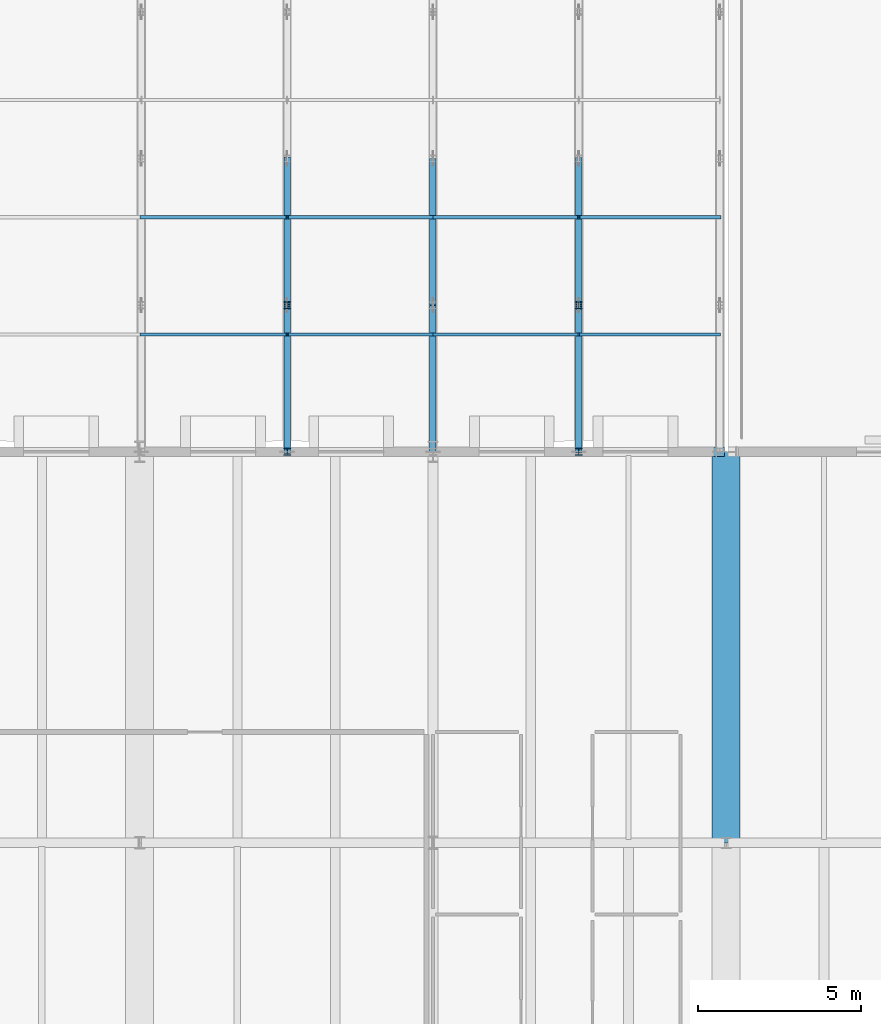
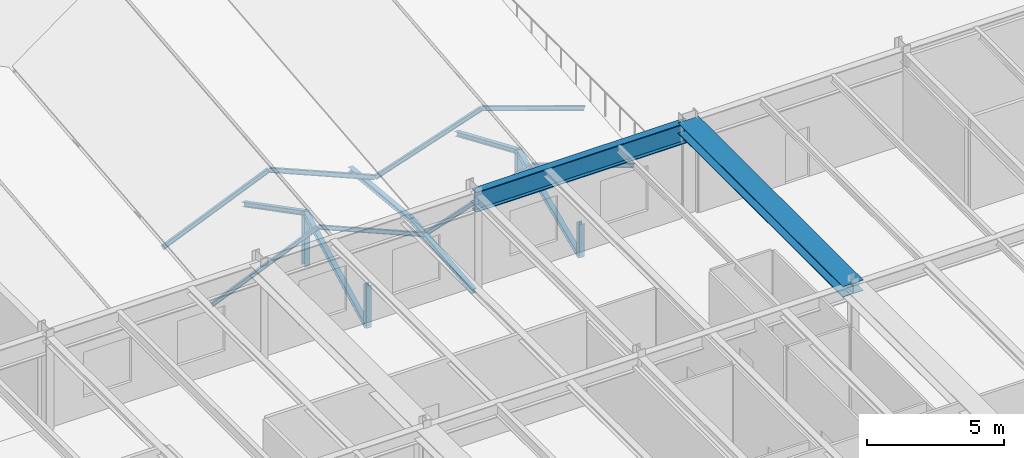
# One storey, part 44 of 142: 18 members, 2 beams.
"""IFC4 building model written with IfcOpenShell, lengths in metres."""

from ifc_helpers import new_model, si_unit, direction, frame, origin, origin_2d, place, context, subcontext, project, spatial, i_section, extrude, material, material_profile, profile_set, type_object, element, save


model = new_model("IFC4")

# Units and contexts
model_context = context("Model", 3, precision=1e-05, world=origin(), true_north=direction((0.0, 1.0)))
body_context = subcontext(model_context, "Body", "Model", "MODEL_VIEW")
ifc_project = project(units=[si_unit("LENGTHUNIT", "METRE"), si_unit("AREAUNIT", "SQUARE_METRE"), si_unit("VOLUMEUNIT", "CUBIC_METRE"), si_unit("PLANEANGLEUNIT", "RADIAN"), si_unit("MASSUNIT", "GRAM", prefix="KILO")], contexts=[model_context])

# Site, building, storey
site_placement = place(None, origin())
site = spatial("IfcSite", under=ifc_project, at=site_placement, CompositionType="ELEMENT")
building_placement = place(site_placement, origin())
building = spatial("IfcBuilding", under=site, at=building_placement, Name="Montelvaro Courts of Justice", CompositionType="ELEMENT")
storey_placement = place(building_placement, frame((0.0, 0.0, 14.39990234375)))
storey = spatial("IfcBuildingStorey", under=building, at=storey_placement, Name="L03", CompositionType="ELEMENT", Elevation=14.39990234375)

# Beams
ifc_material = material(Name="Steel S355", Category="steel")
ifc_material_profile_1 = material_profile(ifc_material, i_section(OverallWidth=0.300048828125, OverallDepth=0.89990234375, WebThickness=0.0185546875, FlangeThickness=0.034912109375, at=origin_2d()), Name="HEB 900")
ifc_profile_set_1 = profile_set([ifc_material_profile_1], Name="Steel S355")
beam_type_1 = type_object("IfcBeamType", Name="Beam_HEB900", PredefinedType="USERDEFINED", material=ifc_profile_set_1)
beam_1_placement = place(storey_placement, frame((90.0, 24.0, 3.72998046875), z_axis=(1.0, 0.0, 0.0), x_axis=(0.0, 1.0, 0.0)))
element("IfcBeam", 1, at=beam_1_placement, inside=storey, type_object=beam_type_1, Name="Beam B-30 L03", ObjectType="GIRDER", PredefinedType="USERDEFINED", context=body_context, shape_type="SweptSolid", body=[
    extrude(i_section(OverallWidth=0.300048828125, OverallDepth=0.89990234375, WebThickness=0.0185546875, FlangeThickness=0.034912109375, at=origin_2d()), origin(), (0.0, 0.0, 1.0), 8.949951171875),
])
ifc_material_profile_2 = material_profile(ifc_material, i_section(OverallWidth=0.860107421875, OverallDepth=0.47998046875, WebThickness=0.02001953125, FlangeThickness=0.031982421875, at=origin_2d()), Name="HL 480x860")
ifc_profile_set_2 = profile_set([ifc_material_profile_2], Name="Steel S355")
beam_type_2 = type_object("IfcBeamType", Name="Beam_MJSeat_860", PredefinedType="USERDEFINED", material=ifc_profile_set_2)
beam_2_placement = place(storey_placement, frame((99.0, 12.0, 3.940185546875), z_axis=(0.0, 1.0, 0.0), x_axis=(-1.0, 0.0, 0.0)))
element("IfcBeam", 2, at=beam_2_placement, inside=storey, type_object=beam_type_2, Name="Beam BC-01 L03", ObjectType="GIRDER", PredefinedType="USERDEFINED", context=body_context, shape_type="SweptSolid", body=[
    extrude(i_section(OverallWidth=0.860107421875, OverallDepth=0.47998046875, WebThickness=0.02001953125, FlangeThickness=0.031982421875, at=origin_2d()), origin(), (0.0, 0.0, 1.0), 12.0),
])

# Members
ifc_material_profile_3 = material_profile(ifc_material, i_section(OverallWidth=0.199951171875, OverallDepth=0.18994140625, WebThickness=0.006591796875, FlangeThickness=0.010009765625, at=origin_2d()), Name="HEA 200")
ifc_profile_set_3 = profile_set([ifc_material_profile_3], Name="Steel S355")
member_type_1 = type_object("IfcMemberType", Name="Mem_HEA200_Brace", PredefinedType="BRACE", material=ifc_profile_set_3)
for number, where, z_axis, x_axis, name in (
    (3, (90.0, 24.0, -0.2998046875), (0.0, 0.995467028461, 0.09510728283), (-1.0, 0.0, 0.0), "Roof Truss Web MB-02 ROOF-PASSAGE-S-VTR03-W1"),
    (4, (90.0, 28.5, 0.130126953125), (0.0, 0.995467028461, -0.09510728283), (-1.0, 0.0, 0.0), "Roof Truss Web MB-02 ROOF-PASSAGE-S-VTR03-W2"),
):
    element("IfcMember", number, at=place(storey_placement, frame(where, z_axis=z_axis, x_axis=x_axis)), inside=storey, type_object=member_type_1, Name=name, PredefinedType="BRACE", context=body_context, shape_type="SweptSolid", body=[
        extrude(i_section(OverallWidth=0.199951171875, OverallDepth=0.18994140625, WebThickness=0.006591796875, FlangeThickness=0.010009765625, at=origin_2d()), origin(), (0.0, 0.0, 1.0), 4.5205078125),
    ])
for number, where, z_axis, x_axis, name in (
    (5, (85.52490234375, 24.0, -0.2998046875), (0.0, 0.888036563744, 0.459772836795), (-1.0, 0.0, 0.0), "Roof Truss Web MB-02 ROOF-PASSAGE-S-RTR02-W1"),
    (6, (85.52490234375, 28.5, 2.030029296875), (0.0, 0.888036563744, -0.459772836795), (-1.0, 0.0, 0.0), "Roof Truss Web MB-02 ROOF-PASSAGE-S-RTR02-W2"),
):
    element("IfcMember", number, at=place(storey_placement, frame(where, z_axis=z_axis, x_axis=x_axis)), inside=storey, type_object=member_type_1, Name=name, PredefinedType="BRACE", context=body_context, shape_type="SweptSolid", body=[
        extrude(i_section(OverallWidth=0.199951171875, OverallDepth=0.18994140625, WebThickness=0.006591796875, FlangeThickness=0.010009765625, at=origin_2d()), origin(), (0.0, 0.0, 1.0), 5.0673828125),
    ])
for number, where, z_axis, x_axis, name in (
    (7, (94.47509765625, 24.0, -0.2998046875), (0.0, 0.919044417675, 0.394153977958), (-1.0, 0.0, 0.0), "Roof Truss Web MB-02 ROOF-PASSAGE-S-RTR03-W1"),
    (8, (94.47509765625, 28.5, 1.630126953125), (0.0, 0.919044417675, -0.394153977958), (-1.0, 0.0, 0.0), "Roof Truss Web MB-02 ROOF-PASSAGE-S-RTR03-W2"),
):
    element("IfcMember", number, at=place(storey_placement, frame(where, z_axis=z_axis, x_axis=x_axis)), inside=storey, type_object=member_type_1, Name=name, PredefinedType="BRACE", context=body_context, shape_type="SweptSolid", body=[
        extrude(i_section(OverallWidth=0.199951171875, OverallDepth=0.18994140625, WebThickness=0.006591796875, FlangeThickness=0.010009765625, at=origin_2d()), origin(), (0.0, 0.0, 1.0), 4.896484375),
    ])
ifc_material_profile_4 = material_profile(ifc_material, i_section(OverallWidth=0.219970703125, OverallDepth=0.2099609375, WebThickness=0.007080078125, FlangeThickness=0.010986328125, at=origin_2d()), Name="HEA 220")
ifc_profile_set_4 = profile_set([ifc_material_profile_4], Name="Steel S355")
member_type_2 = type_object("IfcMemberType", Name="Mem_HEA220_Post", PredefinedType="POST", material=ifc_profile_set_4)
member_1_placement = place(storey_placement, frame((85.52490234375, 24.0, -0.2998046875), z_axis=(0.0, 0.0, 1.0), x_axis=(1.0, 0.0, 0.0)))
element("IfcMember", 9, at=member_1_placement, inside=storey, type_object=member_type_2, Name="Roof Truss Post MP-03 ROOF-PASSAGE-S-RTR02-V0", PredefinedType="POST", context=body_context, shape_type="SweptSolid", body=[
    extrude(i_section(OverallWidth=0.219970703125, OverallDepth=0.2099609375, WebThickness=0.007080078125, FlangeThickness=0.010986328125, at=origin_2d()), origin(), (0.0, 0.0, 1.0), 1.8798828125),
])
member_2_placement = place(storey_placement, frame((85.52490234375, 28.5, -0.2998046875), z_axis=(0.0, 0.0, 1.0), x_axis=(1.0, 0.0, 0.0)))
element("IfcMember", 10, at=member_2_placement, inside=storey, type_object=member_type_2, Name="Roof Truss Post MP-03 ROOF-PASSAGE-S-RTR02-V1", PredefinedType="POST", context=body_context, shape_type="SweptSolid", body=[
    extrude(i_section(OverallWidth=0.219970703125, OverallDepth=0.2099609375, WebThickness=0.007080078125, FlangeThickness=0.010986328125, at=origin_2d()), origin(), (0.0, 0.0, 1.0), 2.329833984375),
])
member_3_placement = place(storey_placement, frame((94.47509765625, 24.0, -0.2998046875), z_axis=(0.0, 0.0, 1.0), x_axis=(1.0, 0.0, 0.0)))
element("IfcMember", 11, at=member_3_placement, inside=storey, type_object=member_type_2, Name="Roof Truss Post MP-03 ROOF-PASSAGE-S-RTR03-V0", PredefinedType="POST", context=body_context, shape_type="SweptSolid", body=[
    extrude(i_section(OverallWidth=0.219970703125, OverallDepth=0.2099609375, WebThickness=0.007080078125, FlangeThickness=0.010986328125, at=origin_2d()), origin(), (0.0, 0.0, 1.0), 1.47998046875),
])
member_4_placement = place(storey_placement, frame((94.47509765625, 28.5, -0.2998046875), z_axis=(0.0, 0.0, 1.0), x_axis=(1.0, 0.0, 0.0)))
element("IfcMember", 12, at=member_4_placement, inside=storey, type_object=member_type_2, Name="Roof Truss Post MP-03 ROOF-PASSAGE-S-RTR03-V1", PredefinedType="POST", context=body_context, shape_type="SweptSolid", body=[
    extrude(i_section(OverallWidth=0.219970703125, OverallDepth=0.2099609375, WebThickness=0.007080078125, FlangeThickness=0.010986328125, at=origin_2d()), origin(), (0.0, 0.0, 1.0), 1.929931640625),
])
ifc_material_profile_5 = material_profile(ifc_material, i_section(OverallWidth=0.091064453125, OverallDepth=0.179931640625, WebThickness=0.00537109375, FlangeThickness=0.008056640625, at=origin_2d()), Name="IPE 180")
ifc_profile_set_5 = profile_set([ifc_material_profile_5], Name="Steel S355")
member_type_3 = type_object("IfcMemberType", Name="Mem_IPE180_Purlin", PredefinedType="PURLIN", material=ifc_profile_set_5)
member_5_placement = place(storey_placement, frame((81.050048828125, 27.60009765625, 0.0400390625), z_axis=(0.920454252184, 0.0, 0.390850316152), x_axis=(0.0, 1.0, 0.0)))
element("IfcMember", 13, at=member_5_placement, inside=storey, type_object=member_type_3, Name="Roof Purlin MR-01 ROOF-PASSAGE-S-PRL-02-1L", PredefinedType="PURLIN", context=body_context, shape_type="SweptSolid", body=[
    extrude(i_section(OverallWidth=0.091064453125, OverallDepth=0.179931640625, WebThickness=0.00537109375, FlangeThickness=0.008056640625, at=origin_2d()), origin(), (0.0, 0.0, 1.0), 4.861572265625),
])
member_6_placement = place(storey_placement, frame((85.52490234375, 27.60009765625, 1.940185546875), z_axis=(0.920461923224, 0.0, -0.390832250325), x_axis=(0.0, 1.0, 0.0)))
element("IfcMember", 14, at=member_6_placement, inside=storey, type_object=member_type_3, Name="Roof Purlin MR-01 ROOF-PASSAGE-S-PRL-02-1R", PredefinedType="PURLIN", context=body_context, shape_type="SweptSolid", body=[
    extrude(i_section(OverallWidth=0.091064453125, OverallDepth=0.179931640625, WebThickness=0.00537109375, FlangeThickness=0.008056640625, at=origin_2d()), origin(), (0.0, 0.0, 1.0), 4.86181640625),
])
member_7_placement = place(storey_placement, frame((90.0, 27.60009765625, 0.0400390625), z_axis=(0.948154363052, 0.0, 0.317810169481), x_axis=(0.0, 1.0, 0.0)))
element("IfcMember", 15, at=member_7_placement, inside=storey, type_object=member_type_3, Name="Roof Purlin MR-01 ROOF-PASSAGE-S-PRL-03-1L", PredefinedType="PURLIN", context=body_context, shape_type="SweptSolid", body=[
    extrude(i_section(OverallWidth=0.091064453125, OverallDepth=0.179931640625, WebThickness=0.00537109375, FlangeThickness=0.008056640625, at=origin_2d()), origin(), (0.0, 0.0, 1.0), 4.7197265625),
])
member_8_placement = place(storey_placement, frame((94.47509765625, 27.60009765625, 1.5400390625), z_axis=(0.944789974698, 0.0, -0.327676522977), x_axis=(0.0, 1.0, 0.0)))
element("IfcMember", 16, at=member_8_placement, inside=storey, type_object=member_type_3, Name="Roof Purlin MR-01 ROOF-PASSAGE-S-PRL-03-1R", PredefinedType="PURLIN", context=body_context, shape_type="SweptSolid", body=[
    extrude(i_section(OverallWidth=0.091064453125, OverallDepth=0.179931640625, WebThickness=0.00537109375, FlangeThickness=0.008056640625, at=origin_2d()), origin(), (0.0, 0.0, 1.0), 4.57763671875),
])
ifc_material_profile_6 = material_profile(ifc_material, i_section(OverallWidth=0.10009765625, OverallDepth=0.199951171875, WebThickness=0.005615234375, FlangeThickness=0.008544921875, at=origin_2d()), Name="IPE 200")
ifc_profile_set_6 = profile_set([ifc_material_profile_6], Name="Steel S355")
member_type_4 = type_object("IfcMemberType", Name="Mem_IPE200_Purlin", PredefinedType="PURLIN", material=ifc_profile_set_6)
member_9_placement = place(storey_placement, frame((81.050048828125, 31.199951171875, 0.400146484375), z_axis=(0.920472318142, 0.0, 0.390807768006), x_axis=(0.0, 1.0, 0.0)))
element("IfcMember", 17, at=member_9_placement, inside=storey, type_object=member_type_4, Name="Roof Purlin MR-02 ROOF-PASSAGE-S-PRL-02-2L", PredefinedType="PURLIN", context=body_context, shape_type="SweptSolid", body=[
    extrude(i_section(OverallWidth=0.10009765625, OverallDepth=0.199951171875, WebThickness=0.005615234375, FlangeThickness=0.008544921875, at=origin_2d()), origin(), (0.0, 0.0, 1.0), 4.861572265625),
])
member_10_placement = place(storey_placement, frame((85.52490234375, 31.199951171875, 2.300048828125), z_axis=(0.920479987663, 0.0, -0.390789703437), x_axis=(0.0, 1.0, 0.0)))
element("IfcMember", 18, at=member_10_placement, inside=storey, type_object=member_type_4, Name="Roof Purlin MR-02 ROOF-PASSAGE-S-PRL-02-2R", PredefinedType="PURLIN", context=body_context, shape_type="SweptSolid", body=[
    extrude(i_section(OverallWidth=0.10009765625, OverallDepth=0.199951171875, WebThickness=0.005615234375, FlangeThickness=0.008544921875, at=origin_2d()), origin(), (0.0, 0.0, 1.0), 4.86181640625),
])
member_11_placement = place(storey_placement, frame((90.0, 31.199951171875, 0.400146484375), z_axis=(0.948154363052, 0.0, 0.317810169481), x_axis=(0.0, 1.0, 0.0)))
element("IfcMember", 19, at=member_11_placement, inside=storey, type_object=member_type_4, Name="Roof Purlin MR-02 ROOF-PASSAGE-S-PRL-03-2L", PredefinedType="PURLIN", context=body_context, shape_type="SweptSolid", body=[
    extrude(i_section(OverallWidth=0.10009765625, OverallDepth=0.199951171875, WebThickness=0.005615234375, FlangeThickness=0.008544921875, at=origin_2d()), origin(), (0.0, 0.0, 1.0), 4.7197265625),
])
member_12_placement = place(storey_placement, frame((94.47509765625, 31.199951171875, 1.900146484375), z_axis=(0.944789974698, 0.0, -0.327676522977), x_axis=(0.0, 1.0, 0.0)))
element("IfcMember", 20, at=member_12_placement, inside=storey, type_object=member_type_4, Name="Roof Purlin MR-02 ROOF-PASSAGE-S-PRL-03-2R", PredefinedType="PURLIN", context=body_context, shape_type="SweptSolid", body=[
    extrude(i_section(OverallWidth=0.10009765625, OverallDepth=0.199951171875, WebThickness=0.005615234375, FlangeThickness=0.008544921875, at=origin_2d()), origin(), (0.0, 0.0, 1.0), 4.57763671875),
])

save(model, "model.ifc")
